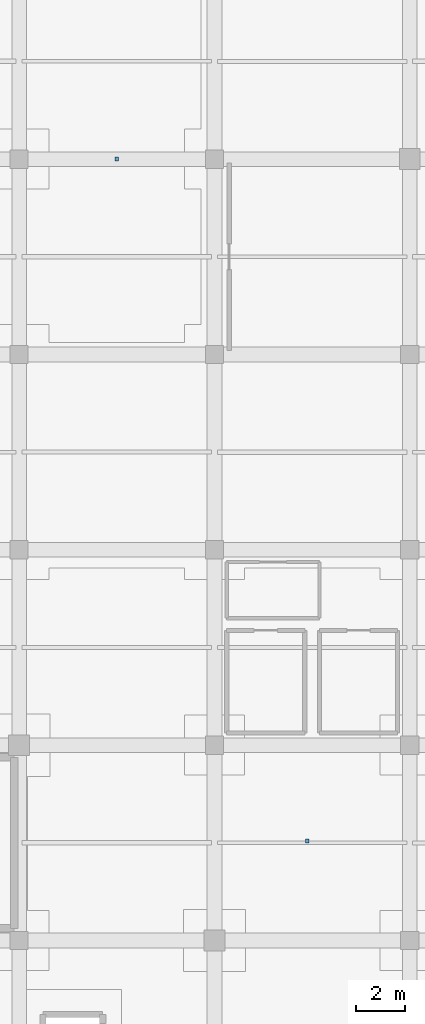
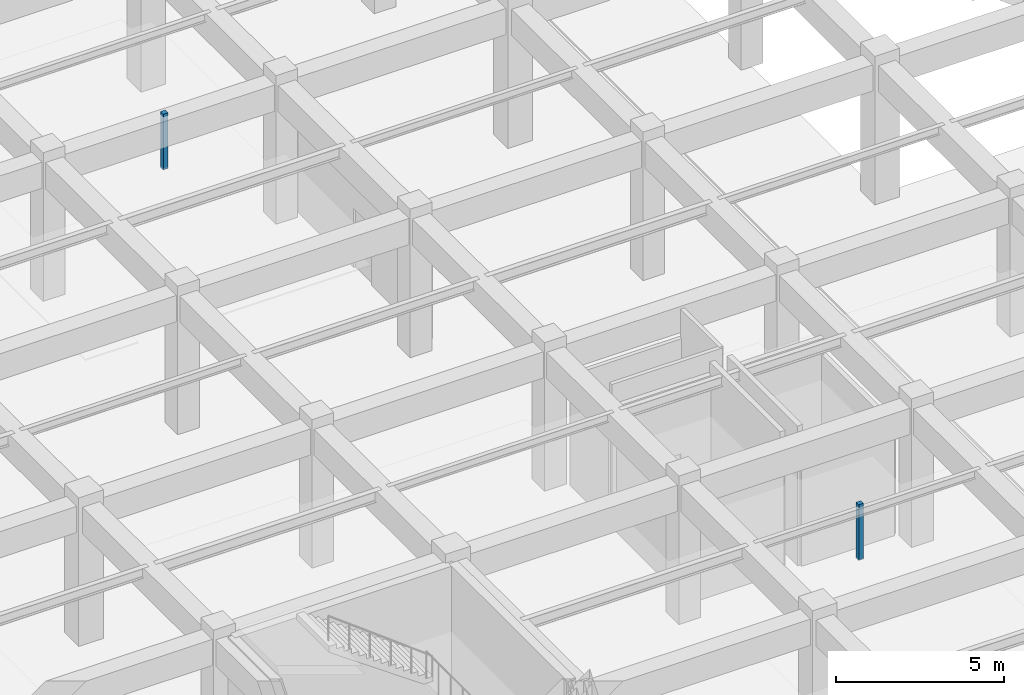
# One storey, part 35 of 39: 2 discrete accessories.
"""IFC4 building model written with IfcOpenShell, lengths in metres."""

from ifc_helpers import new_model, si_unit, direction, frame, origin, origin_2d, place, context, subcontext, project, spatial, rectangle, extrude, material, type_object, element, save


model = new_model("IFC4")

# Units and contexts
model_context = context("Model", 3, precision=1e-05, world=origin(), true_north=direction((0.0, 1.0)))
body_context = subcontext(model_context, "Body", "Model", "MODEL_VIEW")
ifc_project = project(units=[si_unit("LENGTHUNIT", "METRE"), si_unit("AREAUNIT", "SQUARE_METRE"), si_unit("VOLUMEUNIT", "CUBIC_METRE"), si_unit("PLANEANGLEUNIT", "RADIAN"), si_unit("MASSUNIT", "GRAM", prefix="KILO")], contexts=[model_context])

# Site, building, storey
site_placement = place(None, origin())
site = spatial("IfcSite", under=ifc_project, at=site_placement, CompositionType="ELEMENT")
building_placement = place(site_placement, origin())
building = spatial("IfcBuilding", under=site, at=building_placement, Name="Tazarka Park Arena", CompositionType="ELEMENT")
storey_placement = place(building_placement, origin())
storey = spatial("IfcBuildingStorey", under=building, at=storey_placement, Name="L00", CompositionType="ELEMENT", Elevation=0.0)

# Discrete accessories
ifc_material = material(Name="Steel S355", Category="steel")
discrete_accessory_type = type_object("IfcDiscreteAccessoryType", Name="BRK-01", PredefinedType="BRACKET", material=ifc_material)
for number, where, z_axis, x_axis, name in (
    (1, (27.800048828125, 20.0791015625, 3.10009765625), (0.0, 0.0, 1.0), (1.0, 0.0, 0.0), "CHG-L00-001"),
    (2, (20.0, 48.0, 3.10009765625), (0.0, 0.0, 1.0), (1.0, 0.0, 0.0), "CHG-L00-002"),
):
    element("IfcDiscreteAccessory", number, at=place(storey_placement, frame(where, z_axis=z_axis, x_axis=x_axis)), inside=storey, type_object=discrete_accessory_type, Name=name, PredefinedType="BRACKET", context=body_context, shape_type="SweptSolid", body=[
        extrude(rectangle(XDim=0.159912109375, YDim=0.159912109375, at=origin_2d()), origin(), (0.0, 0.0, 1.0), 2.02001953125),
    ])

save(model, "model.ifc")
